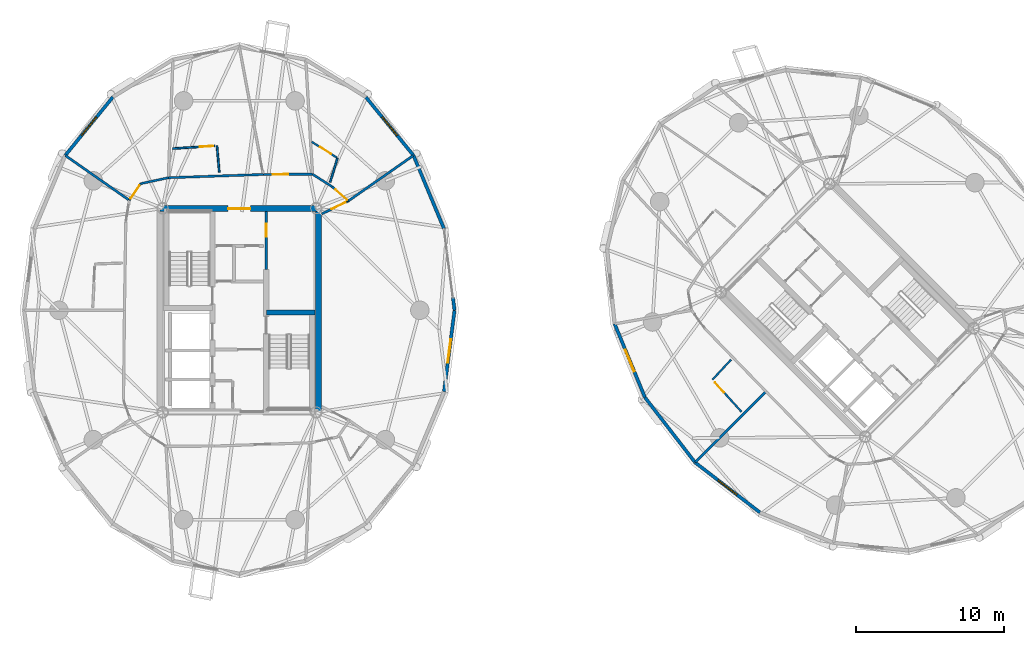
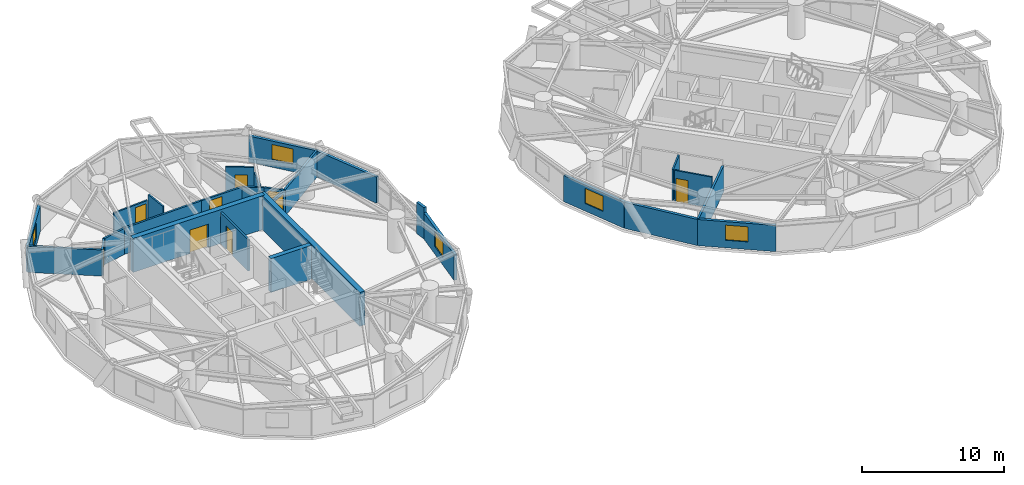
# One storey, part 12 of 18: 28 walls, 9 doors, 5 windows, 14 openings.
"""IFC4 building model written with IfcOpenShell, lengths in metres."""

from ifc_helpers import new_model, si_unit, direction, frame, frame_2d, origin, place, context, subcontext, project, spatial, rectangle, extrude, source, transform, mapped, material, layer, layer_set, type_object, element, fill, save


model = new_model("IFC4")

# Units and contexts
model_context = context("Model", 3, precision=1e-05, world=origin(), true_north=direction((0.0, 1.0)))
body_context = subcontext(model_context, "Body", "Model", "MODEL_VIEW")
ifc_project = project(units=[si_unit("LENGTHUNIT", "METRE"), si_unit("AREAUNIT", "SQUARE_METRE"), si_unit("VOLUMEUNIT", "CUBIC_METRE"), si_unit("PLANEANGLEUNIT", "RADIAN"), si_unit("MASSUNIT", "GRAM", prefix="KILO")], contexts=[model_context])

# Site, building, storey
site_placement = place(None, origin())
site = spatial("IfcSite", under=ifc_project, at=site_placement, CompositionType="ELEMENT")
building_placement = place(site_placement, origin())
building = spatial("IfcBuilding", under=site, at=building_placement, Name="Cununo Teusaquillo Station Towers", CompositionType="ELEMENT")
storey_placement = place(building_placement, frame((0.0, 0.0, 157.419921875)))
storey = spatial("IfcBuildingStorey", under=building, at=storey_placement, Name="L49", CompositionType="ELEMENT", Elevation=157.419921875)

# Walls
ifc_material_1 = material(Name="Concrete C50/60", Category="concrete")
ifc_layer_1 = layer(ifc_material_1, 0.35009765625)
ifc_layer_set_1 = layer_set([ifc_layer_1], Name="Concrete C50/60")
wall_type_1 = type_object("IfcWallType", Name="WL-CORE-350", PredefinedType="SHEAR", material=ifc_layer_set_1)
wall_1_placement = place(storey_placement, frame((18.31494140625, 24.344970703125, 0.0), z_axis=(0.0, 0.0, 1.0), x_axis=(1.0, 0.0, 0.0)))
element("IfcWall", 1, at=wall_1_placement, inside=storey, type_object=wall_type_1, Name="L49 Tower A Core Shear Wall ST2N", PredefinedType="SHEAR", context=body_context, shape_type="SweptSolid", body=[
    extrude(rectangle(XDim=3.28515625, YDim=0.35009765625, at=frame_2d((1.642578125, 0.0))), origin(), (0.0, 0.0, 1.0), 2.91015625),
])
ifc_material_2 = material(Name="Concrete C50/60", Category="concrete")
ifc_layer_2 = layer(ifc_material_2, 0.39990234375)
ifc_layer_set_2 = layer_set([ifc_layer_2], Name="Concrete C50/60")
wall_type_2 = type_object("IfcWallType", Name="WL-CORE-400", PredefinedType="SHEAR", material=ifc_layer_set_2)
wall_2_placement = place(storey_placement, frame((21.85009765625, 17.449951171875, 0.0), z_axis=(0.0, 0.0, 1.0), x_axis=(0.0, 1.0, 0.0)))
element("IfcWall", 2, at=wall_2_placement, inside=storey, type_object=wall_type_2, Name="L49 Tower A Core Shear Wall E", PredefinedType="SHEAR", context=body_context, shape_type="SweptSolid", body=[
    extrude(rectangle(XDim=14.10009765625, YDim=0.39990234375, at=frame_2d((7.050048828125, 0.0))), origin(), (0.0, 0.0, 1.0), 2.91015625),
])

# Wall, opening, door
wall_3_placement = place(storey_placement, frame((11.14990234375, 31.35009765625, 0.0), z_axis=(0.0, 0.0, 1.0), x_axis=(1.0, 0.0, 0.0)))
wall_3 = element("IfcWall", 3, at=wall_3_placement, inside=storey, type_object=wall_type_2, Name="L49 Tower A Core Shear Wall N", PredefinedType="SHEAR", context=body_context, shape_type="SweptSolid", body=[
    extrude(rectangle(XDim=10.7001953125, YDim=0.39990234375, at=frame_2d((5.35009765625, 0.0))), origin(), (0.0, 0.0, 1.0), 2.91015625),
])
shared_shape_1 = source(origin(), body_context, "Body", "SweptSolid", [
    extrude(rectangle(XDim=1.5, YDim=2.02001953125, at=frame_2d((0.75, 1.010009765625))), frame((0.0, 0.2099609375, 0.0), z_axis=(0.0, -1.0, 0.0), x_axis=(1.0, 0.0, 0.0)), (0.0, 0.0, 1.0), 0.419921875),
])
opening_1_placement = place(wall_3_placement, frame((4.60009765625, 0.0, 0.0)))
opening_1 = element("IfcOpeningElement", 4, at=opening_1_placement, cuts=wall_3, Name="Opening D-LB1", PredefinedType="OPENING", context=body_context, shape_type="MappedRepresentation", body=[
    mapped(shared_shape_1, transform((0.0, 0.0, 0.0), x_axis=(1.0, 0.0, 0.0), y_axis=(0.0, 1.0, 0.0), z_axis=(0.0, 0.0, 1.0), scale=1.0)),
])
ifc_material_3 = material(Name="Galvanised fire-rated hollow steel door assembly", Category="steel")
door_type_1 = type_object("IfcDoorType", Name="DR-LOBBY-1500", OperationType="DOUBLE_DOOR_SINGLE_SWING", PredefinedType="DOOR", material=ifc_material_3)
shared_shape_2 = source(origin(), body_context, "Body", "SweptSolid", [
    extrude(rectangle(XDim=1.5, YDim=2.02001953125, at=frame_2d((0.75, 1.010009765625))), frame((0.0, 0.02490234375, 0.0), z_axis=(0.0, -1.0, 0.0), x_axis=(1.0, 0.0, 0.0)), (0.0, 0.0, 1.0), 0.050048828125),
])
door_1_placement = place(opening_1_placement, origin())
door_1 = element("IfcDoor", 5, at=door_1_placement, inside=storey, type_object=door_type_1, Name="L49 Tower A North Core Lift Lobby Door", OperationType="DOUBLE_DOOR_SINGLE_SWING", OverallHeight=2.02001953125, OverallWidth=1.5, PredefinedType="DOOR", context=body_context, shape_type="MappedRepresentation", body=[
    mapped(shared_shape_2, transform((0.0, 0.0, 0.0), x_axis=(1.0, 0.0, 0.0), y_axis=(0.0, 1.0, 0.0), z_axis=(0.0, 0.0, 1.0), scale=1.0)),
])
fill(opening_1, door_1)

# Walls
ifc_material_4 = material(Name="Precast concrete C40/50", Category="concrete")
ifc_layer_3 = layer(ifc_material_4, 0.219970703125)
ifc_layer_set_3 = layer_set([ifc_layer_3], Name="Precast concrete C40/50")
wall_type_3 = type_object("IfcWallType", Name="WL-EXT-220", PredefinedType="SOLIDWALL", material=ifc_layer_set_3)
wall_4_placement = place(storey_placement, frame((30.9033203125, 25.36279296875, 0.0), z_axis=(0.0, 0.0, 1.0), x_axis=(0.128247365719, -0.991742211054, 0.0)))
element("IfcWall", 6, at=wall_4_placement, inside=storey, type_object=wall_type_3, Name="L49 Tower A Column Pier Cladding Wall C00-PB", PredefinedType="SOLIDWALL", context=body_context, shape_type="SweptSolid", body=[
    extrude(rectangle(XDim=0.869873046875, YDim=0.219970703125, at=frame_2d((0.43505859375, 0.0))), origin(), (0.0, 0.0, 1.0), 2.675048828125),
])
wall_5_placement = place(storey_placement, frame((28.242919921875, 34.94482421875, 0.0), z_axis=(0.0, 0.0, 1.0), x_axis=(0.384259959969, -0.923224936386, 0.0)))
element("IfcWall", 7, at=wall_5_placement, inside=storey, type_object=wall_type_3, Name="L49 Tower A Exterior Facade Wall C01", PredefinedType="SOLIDWALL", context=body_context, shape_type="SweptSolid", body=[
    extrude(rectangle(XDim=5.365478515625, YDim=0.219970703125, at=frame_2d((2.6826171875, 0.0))), origin(), (0.0, 0.0, 1.0), 2.2451171875),
])

# Wall, opening, window
wall_6_placement = place(storey_placement, frame((25.03173828125, 38.876220703125, 0.0), z_axis=(0.0, 0.0, 1.0), x_axis=(0.632598524901, -0.774479894053, 0.0)))
wall_6 = element("IfcWall", 8, at=wall_6_placement, inside=storey, type_object=wall_type_3, Name="L49 Tower A Exterior Facade Wall C02", PredefinedType="SOLIDWALL", context=body_context, shape_type="SweptSolid", body=[
    extrude(rectangle(XDim=5.076171875, YDim=0.219970703125, at=frame_2d((2.5380859375, 0.0))), origin(), (0.0, 0.0, 1.0), 2.2451171875),
])
shared_shape_3 = source(origin(), body_context, "Body", "SweptSolid", [
    extrude(rectangle(XDim=1.60009765625, YDim=1.300048828125, at=frame_2d((0.800048828125, 0.64990234375))), frame((0.0, 0.119873046875, 0.0), z_axis=(0.0, -1.0, 0.0), x_axis=(1.0, 0.0, 0.0)), (0.0, 0.0, 1.0), 0.239990234375),
])
opening_2_placement = place(wall_6_placement, frame((1.738037109375, 0.0, 0.64990234375)))
opening_2 = element("IfcOpeningElement", 9, at=opening_2_placement, cuts=wall_6, Name="Opening WN-03", PredefinedType="OPENING", context=body_context, shape_type="MappedRepresentation", body=[
    mapped(shared_shape_3, transform((0.0, 0.0, 0.0), x_axis=(1.0, 0.0, 0.0), y_axis=(0.0, 1.0, 0.0), z_axis=(0.0, 0.0, 1.0), scale=1.0)),
])
ifc_material_5 = material(Name="Ceramic-fritted dark low-E double glazing", Category="glass")
window_type = type_object("IfcWindowType", Name="WIN-CORN-1600", PartitioningType="SINGLE_PANEL", PredefinedType="WINDOW", material=ifc_material_5)
shared_shape_4 = source(origin(), body_context, "Body", "SweptSolid", [
    extrude(rectangle(XDim=1.60009765625, YDim=1.300048828125, at=frame_2d((0.800048828125, 0.64990234375))), frame((0.0, 0.030029296875, 0.0), z_axis=(0.0, -1.0, 0.0), x_axis=(1.0, 0.0, 0.0)), (0.0, 0.0, 1.0), 0.06005859375),
])
window_1_placement = place(opening_2_placement, origin())
window_1 = element("IfcWindow", 10, at=window_1_placement, inside=storey, type_object=window_type, Name="L49 Tower A Facade Window C02", OverallHeight=1.300048828125, OverallWidth=1.60009765625, PartitioningType="SINGLE_PANEL", PredefinedType="WINDOW", context=body_context, shape_type="MappedRepresentation", body=[
    mapped(shared_shape_4, transform((0.0, 0.0, 0.0), x_axis=(1.0, 0.0, 0.0), y_axis=(0.0, 1.0, 0.0), z_axis=(0.0, 0.0, 1.0), scale=1.0)),
])
fill(opening_2, window_1)

wall_7_placement = place(storey_placement, frame((4.757080078125, 34.94482421875, 0.0), z_axis=(0.0, 0.0, 1.0), x_axis=(0.632598524901, 0.774479894053, 0.0)))
wall_7 = element("IfcWall", 11, at=wall_7_placement, inside=storey, type_object=wall_type_3, Name="L49 Tower A Exterior Facade Wall C07", PredefinedType="SOLIDWALL", context=body_context, shape_type="SweptSolid", body=[
    extrude(rectangle(XDim=5.076171875, YDim=0.219970703125, at=frame_2d((2.5380859375, 0.0))), origin(), (0.0, 0.0, 1.0), 2.2451171875),
])
opening_3_placement = place(wall_7_placement, frame((1.738037109375, 0.0, 0.64990234375)))
opening_3 = element("IfcOpeningElement", 12, at=opening_3_placement, cuts=wall_7, Name="Opening WN-03", PredefinedType="OPENING", context=body_context, shape_type="MappedRepresentation", body=[
    mapped(shared_shape_3, transform((0.0, 0.0, 0.0), x_axis=(1.0, 0.0, 0.0), y_axis=(0.0, 1.0, 0.0), z_axis=(0.0, 0.0, 1.0), scale=1.0)),
])
window_2_placement = place(opening_3_placement, origin())
window_2 = element("IfcWindow", 13, at=window_2_placement, inside=storey, type_object=window_type, Name="L49 Tower A Facade Window C07", OverallHeight=1.300048828125, OverallWidth=1.60009765625, PartitioningType="SINGLE_PANEL", PredefinedType="WINDOW", context=body_context, shape_type="MappedRepresentation", body=[
    mapped(shared_shape_4, transform((0.0, 0.0, 0.0), x_axis=(1.0, 0.0, 0.0), y_axis=(0.0, 1.0, 0.0), z_axis=(0.0, 0.0, 1.0), scale=1.0)),
])
fill(opening_3, window_2)

wall_8_placement = place(storey_placement, frame((31.014892578125, 24.5, 0.0), z_axis=(0.0, 0.0, 1.0), x_axis=(-0.128266533912, -0.991739732126, 0.0)))
wall_8 = element("IfcWall", 14, at=wall_8_placement, inside=storey, type_object=wall_type_3, Name="L49 Tower A Exterior Facade Wall C19", PredefinedType="SOLIDWALL", context=body_context, shape_type="SweptSolid", body=[
    extrude(rectangle(XDim=5.536865234375, YDim=0.219970703125, at=frame_2d((2.7685546875, 0.0))), origin(), (0.0, 0.0, 1.0), 2.2451171875),
])
opening_4_placement = place(wall_8_placement, frame((1.968017578125, 0.0, 0.64990234375)))
opening_4 = element("IfcOpeningElement", 15, at=opening_4_placement, cuts=wall_8, Name="Opening WN-03", PredefinedType="OPENING", context=body_context, shape_type="MappedRepresentation", body=[
    mapped(shared_shape_3, transform((0.0, 0.0, 0.0), x_axis=(1.0, 0.0, 0.0), y_axis=(0.0, 1.0, 0.0), z_axis=(0.0, 0.0, 1.0), scale=1.0)),
])
window_3_placement = place(opening_4_placement, origin())
window_3 = element("IfcWindow", 16, at=window_3_placement, inside=storey, type_object=window_type, Name="L49 Tower A Facade Window C19", OverallHeight=1.300048828125, OverallWidth=1.60009765625, PartitioningType="SINGLE_PANEL", PredefinedType="WINDOW", context=body_context, shape_type="MappedRepresentation", body=[
    mapped(shared_shape_4, transform((0.0, 0.0, 0.0), x_axis=(1.0, 0.0, 0.0), y_axis=(0.0, 1.0, 0.0), z_axis=(0.0, 0.0, 1.0), scale=1.0)),
])
fill(opening_4, window_3)

wall_9_placement = place(storey_placement, frame((43.855712890625, 18.62158203125, 0.0), z_axis=(0.0, 0.0, 1.0), x_axis=(-0.38111364655, 0.924528197738, 0.0)))
wall_9 = element("IfcWall", 17, at=wall_9_placement, inside=storey, type_object=wall_type_3, Name="L49 Tower B Exterior Facade Wall C08", PredefinedType="SOLIDWALL", context=body_context, shape_type="SweptSolid", body=[
    extrude(rectangle(XDim=5.36572265625, YDim=0.219970703125, at=frame_2d((2.682861328125, 0.0))), origin(), (0.0, 0.0, 1.0), 2.2451171875),
])
opening_5_placement = place(wall_9_placement, frame((1.883056640625, 0.0, 0.64990234375)))
opening_5 = element("IfcOpeningElement", 18, at=opening_5_placement, cuts=wall_9, Name="Opening WN-03", PredefinedType="OPENING", context=body_context, shape_type="MappedRepresentation", body=[
    mapped(shared_shape_3, transform((0.0, 0.0, 0.0), x_axis=(1.0, 0.0, 0.0), y_axis=(0.0, 1.0, 0.0), z_axis=(0.0, 0.0, 1.0), scale=1.0)),
])
window_4_placement = place(opening_5_placement, origin())
window_4 = element("IfcWindow", 19, at=window_4_placement, inside=storey, type_object=window_type, Name="L49 Tower B Facade Window C08", OverallHeight=1.300048828125, OverallWidth=1.60009765625, PartitioningType="SINGLE_PANEL", PredefinedType="WINDOW", context=body_context, shape_type="MappedRepresentation", body=[
    mapped(shared_shape_4, transform((0.0, 0.0, 0.0), x_axis=(1.0, 0.0, 0.0), y_axis=(0.0, 1.0, 0.0), z_axis=(0.0, 0.0, 1.0), scale=1.0)),
])
fill(opening_5, window_4)

# Wall
wall_10_placement = place(storey_placement, frame((47.236328125, 14.236328125, 0.0), z_axis=(0.0, 0.0, 1.0), x_axis=(-0.610543584779, 0.791982658323, 0.0)))
element("IfcWall", 20, at=wall_10_placement, inside=storey, type_object=wall_type_3, Name="L49 Tower B Exterior Facade Wall C09", PredefinedType="SOLIDWALL", context=body_context, shape_type="SweptSolid", body=[
    extrude(rectangle(XDim=5.537109375, YDim=0.219970703125, at=frame_2d((2.7685546875, 0.0))), origin(), (0.0, 0.0, 1.0), 2.2451171875),
])

# Wall, opening, window
wall_11_placement = place(storey_placement, frame((51.62158203125, 10.855712890625, 0.0), z_axis=(0.0, 0.0, 1.0), x_axis=(-0.791982658323, 0.610543584779, 0.0)))
wall_11 = element("IfcWall", 21, at=wall_11_placement, inside=storey, type_object=wall_type_3, Name="L49 Tower B Exterior Facade Wall C10", PredefinedType="SOLIDWALL", context=body_context, shape_type="SweptSolid", body=[
    extrude(rectangle(XDim=5.537109375, YDim=0.219970703125, at=frame_2d((2.7685546875, 0.0))), origin(), (0.0, 0.0, 1.0), 2.2451171875),
])
opening_6_placement = place(wall_11_placement, frame((1.968017578125, 0.0, 0.64990234375)))
opening_6 = element("IfcOpeningElement", 22, at=opening_6_placement, cuts=wall_11, Name="Opening WN-03", PredefinedType="OPENING", context=body_context, shape_type="MappedRepresentation", body=[
    mapped(shared_shape_3, transform((0.0, 0.0, 0.0), x_axis=(1.0, 0.0, 0.0), y_axis=(0.0, 1.0, 0.0), z_axis=(0.0, 0.0, 1.0), scale=1.0)),
])
window_5_placement = place(opening_6_placement, origin())
window_5 = element("IfcWindow", 23, at=window_5_placement, inside=storey, type_object=window_type, Name="L49 Tower B Facade Window C10", OverallHeight=1.300048828125, OverallWidth=1.60009765625, PartitioningType="SINGLE_PANEL", PredefinedType="WINDOW", context=body_context, shape_type="MappedRepresentation", body=[
    mapped(shared_shape_4, transform((0.0, 0.0, 0.0), x_axis=(1.0, 0.0, 0.0), y_axis=(0.0, 1.0, 0.0), z_axis=(0.0, 0.0, 1.0), scale=1.0)),
])
fill(opening_6, window_5)

# Wall
ifc_material_6 = material(Name="Fire-rated gypsum plasterboard partition assembly", Category="gypsum")
ifc_layer_4 = layer(ifc_material_6, 0.125)
ifc_layer_set_4 = layer_set([ifc_layer_4], Name="Fire-rated gypsum plasterboard partition assembly")
wall_type_4 = type_object("IfcWallType", Name="WL-PART-125", PredefinedType="PARTITIONING", material=ifc_layer_set_4)
wall_12_placement = place(storey_placement, frame((22.6279296875, 33.141845703125, 0.0), z_axis=(0.0, 0.0, 1.0), x_axis=(0.28808673097, 0.957604320917, 0.0)))
element("IfcWall", 24, at=wall_12_placement, inside=storey, type_object=wall_type_4, Name="L49 Tower A S01 En-suite Side Wall", PredefinedType="PARTITIONING", context=body_context, shape_type="SweptSolid", body=[
    extrude(rectangle(XDim=1.697509765625, YDim=0.125, at=frame_2d((0.8486328125, 0.0))), origin(), (0.0, 0.0, 1.0), 2.2451171875),
])

# Wall, opening, door
wall_13_placement = place(storey_placement, frame((23.064208984375, 34.800537109375, 0.0), z_axis=(0.0, 0.0, 1.0), x_axis=(-0.846418905871, 0.532517638942, 0.0)))
wall_13 = element("IfcWall", 25, at=wall_13_placement, inside=storey, type_object=wall_type_4, Name="L49 Tower A S01 En-suite Back Wall", PredefinedType="PARTITIONING", context=body_context, shape_type="SweptSolid", body=[
    extrude(rectangle(XDim=1.993408203125, YDim=0.125, at=frame_2d((0.99658203125, 0.0))), origin(), (0.0, 0.0, 1.0), 2.675048828125),
])
shared_shape_5 = source(origin(), body_context, "Body", "SweptSolid", [
    extrude(rectangle(XDim=0.89990234375, YDim=2.0048828125, at=frame_2d((0.449951171875, 1.00244140625))), frame((0.0, 0.072509765625, 0.0), z_axis=(0.0, -1.0, 0.0), x_axis=(1.0, 0.0, 0.0)), (0.0, 0.0, 1.0), 0.14501953125),
])
opening_7_placement = place(wall_13_placement, frame((0.43994140625, 0.0, 0.0)))
opening_7 = element("IfcOpeningElement", 26, at=opening_7_placement, cuts=wall_13, Name="Opening D-IN1", PredefinedType="OPENING", context=body_context, shape_type="MappedRepresentation", body=[
    mapped(shared_shape_5, transform((0.0, 0.0, 0.0), x_axis=(1.0, 0.0, 0.0), y_axis=(0.0, 1.0, 0.0), z_axis=(0.0, 0.0, 1.0), scale=1.0)),
])
ifc_material_7 = material(Name="Acoustic solid-core hardwood leaf assembly", Category="wood")
door_type_2 = type_object("IfcDoorType", Name="DR-INT-900", OperationType="NOTDEFINED", PredefinedType="DOOR", material=ifc_material_7)
shared_shape_6 = source(origin(), body_context, "Body", "SweptSolid", [
    extrude(rectangle(XDim=0.89990234375, YDim=2.0048828125, at=frame_2d((0.449951171875, 1.00244140625))), frame((0.0, 0.02490234375, 0.0), z_axis=(0.0, -1.0, 0.0), x_axis=(1.0, 0.0, 0.0)), (0.0, 0.0, 1.0), 0.050048828125),
])
door_2_placement = place(opening_7_placement, origin())
door_2 = element("IfcDoor", 27, at=door_2_placement, inside=storey, type_object=door_type_2, Name="L49 Tower A S01 En-suite Bathroom Door", OperationType="SINGLE_SWING_RIGHT", OverallHeight=2.0048828125, OverallWidth=0.89990234375, PredefinedType="DOOR", context=body_context, shape_type="MappedRepresentation", body=[
    mapped(shared_shape_6, transform((0.0, 0.0, 0.0), x_axis=(1.0, 0.0, 0.0), y_axis=(0.0, 1.0, 0.0), z_axis=(0.0, 0.0, 1.0), scale=1.0)),
])
fill(opening_7, door_2)

# Wall
wall_14_placement = place(storey_placement, frame((15.14599609375, 33.807373046875, 0.0), z_axis=(0.0, 0.0, 1.0), x_axis=(-0.087433462003, 0.996170361797, 0.0)))
element("IfcWall", 28, at=wall_14_placement, inside=storey, type_object=wall_type_4, Name="L49 Tower A S02 En-suite Side Wall", PredefinedType="PARTITIONING", context=body_context, shape_type="SweptSolid", body=[
    extrude(rectangle(XDim=1.79541015625, YDim=0.125, at=frame_2d((0.897705078125, 0.0))), origin(), (0.0, 0.0, 1.0), 2.675048828125),
])

# Wall, opening, door
wall_15_placement = place(storey_placement, frame((14.8408203125, 35.58642578125, 0.0), z_axis=(0.0, 0.0, 1.0), x_axis=(-0.997963636416, -0.063785424599, 0.0)))
wall_15 = element("IfcWall", 29, at=wall_15_placement, inside=storey, type_object=wall_type_4, Name="L49 Tower A S02 En-suite Back Wall", PredefinedType="PARTITIONING", context=body_context, shape_type="SweptSolid", body=[
    extrude(rectangle(XDim=2.8515625, YDim=0.125, at=frame_2d((1.42578125, 0.0))), origin(), (0.0, 0.0, 1.0), 2.2451171875),
])
opening_8_placement = place(wall_15_placement, frame((0.1201171875, 0.0, 0.0)))
opening_8 = element("IfcOpeningElement", 30, at=opening_8_placement, cuts=wall_15, Name="Opening D-IN1", PredefinedType="OPENING", context=body_context, shape_type="MappedRepresentation", body=[
    mapped(shared_shape_5, transform((0.0, 0.0, 0.0), x_axis=(1.0, 0.0, 0.0), y_axis=(0.0, 1.0, 0.0), z_axis=(0.0, 0.0, 1.0), scale=1.0)),
])
door_3_placement = place(opening_8_placement, origin())
door_3 = element("IfcDoor", 31, at=door_3_placement, inside=storey, type_object=door_type_2, Name="L49 Tower A S02 En-suite Bathroom Door", OperationType="SINGLE_SWING_LEFT", OverallHeight=2.0048828125, OverallWidth=0.89990234375, PredefinedType="DOOR", context=body_context, shape_type="MappedRepresentation", body=[
    mapped(shared_shape_6, transform((0.0, 0.0, 0.0), x_axis=(1.0, 0.0, 0.0), y_axis=(0.0, 1.0, 0.0), z_axis=(0.0, 0.0, 1.0), scale=1.0)),
])
fill(opening_8, door_3)

# Wall
wall_16_placement = place(storey_placement, frame((49.664794921875, 21.17138671875, 0.0), z_axis=(0.0, 0.0, 1.0), x_axis=(-0.681089123144, -0.73220052331, 0.0)))
element("IfcWall", 32, at=wall_16_placement, inside=storey, type_object=wall_type_4, Name="L49 Tower B S04 En-suite Side Wall", PredefinedType="PARTITIONING", context=body_context, shape_type="SweptSolid", body=[
    extrude(rectangle(XDim=1.8486328125, YDim=0.125, at=frame_2d((0.92431640625, 0.0))), origin(), (0.0, 0.0, 1.0), 2.675048828125),
])

# Wall, opening, door
wall_17_placement = place(storey_placement, frame((48.502685546875, 19.710693359375, 0.0), z_axis=(0.0, 0.0, 1.0), x_axis=(0.671201050003, -0.741275354018, 0.0)))
wall_17 = element("IfcWall", 33, at=wall_17_placement, inside=storey, type_object=wall_type_4, Name="L49 Tower B S04 En-suite Back Wall", PredefinedType="PARTITIONING", context=body_context, shape_type="SweptSolid", body=[
    extrude(rectangle(XDim=2.77685546875, YDim=0.125, at=frame_2d((1.388427734375, 0.0))), origin(), (0.0, 0.0, 1.0), 2.675048828125),
])
opening_9_placement = place(wall_17_placement, frame((0.1201171875, 0.0, 0.0)))
opening_9 = element("IfcOpeningElement", 34, at=opening_9_placement, cuts=wall_17, Name="Opening D-IN1", PredefinedType="OPENING", context=body_context, shape_type="MappedRepresentation", body=[
    mapped(shared_shape_5, transform((0.0, 0.0, 0.0), x_axis=(1.0, 0.0, 0.0), y_axis=(0.0, 1.0, 0.0), z_axis=(0.0, 0.0, 1.0), scale=1.0)),
])
door_4_placement = place(opening_9_placement, origin())
door_4 = element("IfcDoor", 35, at=door_4_placement, inside=storey, type_object=door_type_2, Name="L49 Tower B S04 En-suite Bathroom Door", OperationType="SINGLE_SWING_RIGHT", OverallHeight=2.0048828125, OverallWidth=0.89990234375, PredefinedType="DOOR", context=body_context, shape_type="MappedRepresentation", body=[
    mapped(shared_shape_6, transform((0.0, 0.0, 0.0), x_axis=(1.0, 0.0, 0.0), y_axis=(0.0, 1.0, 0.0), z_axis=(0.0, 0.0, 1.0), scale=1.0)),
])
fill(opening_9, door_4)

ifc_material_8 = material(Name="Fire-rated gypsum plasterboard partition assembly", Category="gypsum")
ifc_layer_5 = layer(ifc_material_8, 0.14990234375)
ifc_layer_set_5 = layer_set([ifc_layer_5], Name="Fire-rated gypsum plasterboard partition assembly")
wall_type_5 = type_object("IfcWallType", Name="WL-PART-150", PredefinedType="PARTITIONING", material=ifc_layer_set_5)
wall_18_placement = place(storey_placement, frame((23.840576171875, 31.865966796875, 0.0), z_axis=(0.0, 0.0, 1.0), x_axis=(-0.74511843306, 0.666932171, 0.0)))
wall_18 = element("IfcWall", 36, at=wall_18_placement, inside=storey, type_object=wall_type_5, Name="L49 Tower A Corridor Ring Wall C02", PredefinedType="PARTITIONING", context=body_context, shape_type="SweptSolid", body=[
    extrude(rectangle(XDim=1.455078125, YDim=0.14990234375, at=frame_2d((0.7275390625, 0.0))), origin(), (0.0, 0.0, 1.0), 2.2451171875),
])
shared_shape_7 = source(origin(), body_context, "Body", "SweptSolid", [
    extrude(rectangle(XDim=1.050048828125, YDim=2.014892578125, at=frame_2d((0.52490234375, 1.00732421875))), frame((0.0, 0.0849609375, 0.0), z_axis=(0.0, -1.0, 0.0), x_axis=(1.0, 0.0, 0.0)), (0.0, 0.0, 1.0), 0.169921875),
])
opening_10_placement = place(wall_18_placement, frame((0.1201171875, 0.0, 0.0)))
opening_10 = element("IfcOpeningElement", 37, at=opening_10_placement, cuts=wall_18, Name="Opening D-SU1", PredefinedType="OPENING", context=body_context, shape_type="MappedRepresentation", body=[
    mapped(shared_shape_7, transform((0.0, 0.0, 0.0), x_axis=(1.0, 0.0, 0.0), y_axis=(0.0, 1.0, 0.0), z_axis=(0.0, 0.0, 1.0), scale=1.0)),
])
ifc_material_9 = material(Name="Acoustic solid-core hardwood leaf assembly", Category="wood")
door_type_3 = type_object("IfcDoorType", Name="DR-SUITE-1050", OperationType="NOTDEFINED", PredefinedType="DOOR", material=ifc_material_9)
shared_shape_8 = source(origin(), body_context, "Body", "SweptSolid", [
    extrude(rectangle(XDim=1.050048828125, YDim=2.014892578125, at=frame_2d((0.52490234375, 1.00732421875))), frame((0.0, 0.02490234375, 0.0), z_axis=(0.0, -1.0, 0.0), x_axis=(1.0, 0.0, 0.0)), (0.0, 0.0, 1.0), 0.050048828125),
])
door_5_placement = place(opening_10_placement, origin())
door_5 = element("IfcDoor", 38, at=door_5_placement, inside=storey, type_object=door_type_3, Name="L49 Tower A Grand Panorama Hotel Suite Entrance Door", OperationType="SINGLE_SWING_LEFT", OverallHeight=2.014892578125, OverallWidth=1.050048828125, PredefinedType="DOOR", context=body_context, shape_type="MappedRepresentation", body=[
    mapped(shared_shape_8, transform((0.0, 0.0, 0.0), x_axis=(1.0, 0.0, 0.0), y_axis=(0.0, 1.0, 0.0), z_axis=(0.0, 0.0, 1.0), scale=1.0)),
])
fill(opening_10, door_5)

# Wall
wall_19_placement = place(storey_placement, frame((22.75634765625, 32.83642578125, 0.0), z_axis=(0.0, 0.0, 1.0), x_axis=(-0.843828401801, 0.536613108593, 0.0)))
element("IfcWall", 39, at=wall_19_placement, inside=storey, type_object=wall_type_5, Name="L49 Tower A Corridor Ring Wall C03", PredefinedType="PARTITIONING", context=body_context, shape_type="SweptSolid", body=[
    extrude(rectangle(XDim=1.5654296875, YDim=0.14990234375, at=frame_2d((0.78271484375, 0.0))), origin(), (0.0, 0.0, 1.0), 2.2451171875),
])

# Wall, opening, door
wall_20_placement = place(storey_placement, frame((21.435302734375, 33.676513671875, 0.0), z_axis=(0.0, 0.0, 1.0), x_axis=(-0.999986775557, -0.005142831114, 0.0)))
wall_20 = element("IfcWall", 40, at=wall_20_placement, inside=storey, type_object=wall_type_5, Name="L49 Tower A Corridor Ring Wall C04", PredefinedType="PARTITIONING", context=body_context, shape_type="SweptSolid", body=[
    extrude(rectangle(XDim=3.322998046875, YDim=0.14990234375, at=frame_2d((1.66162109375, 0.0))), origin(), (0.0, 0.0, 1.0), 2.2451171875),
])
opening_11_placement = place(wall_20_placement, frame((1.644775390625, 0.0, 0.0)))
opening_11 = element("IfcOpeningElement", 41, at=opening_11_placement, cuts=wall_20, Name="Opening D-SU1", PredefinedType="OPENING", context=body_context, shape_type="MappedRepresentation", body=[
    mapped(shared_shape_7, transform((0.0, 0.0, 0.0), x_axis=(1.0, 0.0, 0.0), y_axis=(0.0, 1.0, 0.0), z_axis=(0.0, 0.0, 1.0), scale=1.0)),
])
door_6_placement = place(opening_11_placement, origin())
door_6 = element("IfcDoor", 42, at=door_6_placement, inside=storey, type_object=door_type_3, Name="L49 Tower A Cloud-Forest Hotel Suite Entrance Door", OperationType="SINGLE_SWING_LEFT", OverallHeight=2.014892578125, OverallWidth=1.050048828125, PredefinedType="DOOR", context=body_context, shape_type="MappedRepresentation", body=[
    mapped(shared_shape_8, transform((0.0, 0.0, 0.0), x_axis=(1.0, 0.0, 0.0), y_axis=(0.0, 1.0, 0.0), z_axis=(0.0, 0.0, 1.0), scale=1.0)),
])
fill(opening_11, door_6)

# Walls
wall_21_placement = place(storey_placement, frame((18.1123046875, 33.659423828125, 0.0), z_axis=(0.0, 0.0, 1.0), x_axis=(-0.999413895918, -0.034232508622, 0.0)))
element("IfcWall", 43, at=wall_21_placement, inside=storey, type_object=wall_type_5, Name="L49 Tower A Corridor Ring Wall C05", PredefinedType="PARTITIONING", context=body_context, shape_type="SweptSolid", body=[
    extrude(rectangle(XDim=6.404296875, YDim=0.14990234375, at=frame_2d((3.2021484375, 0.0))), origin(), (0.0, 0.0, 1.0), 2.2451171875),
])
wall_22_placement = place(storey_placement, frame((11.711669921875, 33.440185546875, 0.0), z_axis=(0.0, 0.0, 1.0), x_axis=(-0.977753514213, -0.209757158265, 0.0)))
element("IfcWall", 44, at=wall_22_placement, inside=storey, type_object=wall_type_5, Name="L49 Tower A Corridor Ring Wall C06", PredefinedType="PARTITIONING", context=body_context, shape_type="SweptSolid", body=[
    extrude(rectangle(XDim=1.900634765625, YDim=0.14990234375, at=frame_2d((0.9501953125, 0.0))), origin(), (0.0, 0.0, 1.0), 2.2451171875),
])

# Wall, opening, door
wall_23_placement = place(storey_placement, frame((9.853271484375, 33.04150390625, 0.0), z_axis=(0.0, 0.0, 1.0), x_axis=(-0.567189283521, -0.823587467522, 0.0)))
wall_23 = element("IfcWall", 45, at=wall_23_placement, inside=storey, type_object=wall_type_5, Name="L49 Tower A Corridor Ring Wall C07", PredefinedType="PARTITIONING", context=body_context, shape_type="SweptSolid", body=[
    extrude(rectangle(XDim=1.364501953125, YDim=0.14990234375, at=frame_2d((0.68212890625, 0.0))), origin(), (0.0, 0.0, 1.0), 2.2451171875),
])
opening_12_placement = place(wall_23_placement, frame((0.1572265625, 0.0, 0.0)))
opening_12 = element("IfcOpeningElement", 46, at=opening_12_placement, cuts=wall_23, Name="Opening D-SU1", PredefinedType="OPENING", context=body_context, shape_type="MappedRepresentation", body=[
    mapped(shared_shape_7, transform((0.0, 0.0, 0.0), x_axis=(1.0, 0.0, 0.0), y_axis=(0.0, 1.0, 0.0), z_axis=(0.0, 0.0, 1.0), scale=1.0)),
])
door_7_placement = place(opening_12_placement, origin())
door_7 = element("IfcDoor", 47, at=door_7_placement, inside=storey, type_object=door_type_3, Name="L49 Tower A Sky Sommelier Lounge Entrance Door", OperationType="SINGLE_SWING_RIGHT", OverallHeight=2.014892578125, OverallWidth=1.050048828125, PredefinedType="DOOR", context=body_context, shape_type="MappedRepresentation", body=[
    mapped(shared_shape_8, transform((0.0, 0.0, 0.0), x_axis=(1.0, 0.0, 0.0), y_axis=(0.0, 1.0, 0.0), z_axis=(0.0, 0.0, 1.0), scale=1.0)),
])
fill(opening_12, door_7)

ifc_material_10 = material(Name="Fire-rated gypsum plasterboard partition assembly", Category="gypsum")
ifc_layer_6 = layer(ifc_material_10, 0.159912109375)
ifc_layer_set_6 = layer_set([ifc_layer_6], Name="Fire-rated gypsum plasterboard partition assembly")
wall_type_6 = type_object("IfcWallType", Name="WL-PART-160", PredefinedType="PARTITIONING", material=ifc_layer_set_6)
wall_24_placement = place(storey_placement, frame((18.31494140625, 27.25, 0.0), z_axis=(0.0, 0.0, 1.0), x_axis=(0.0, 1.0, 0.0)))
wall_24 = element("IfcWall", 48, at=wall_24_placement, inside=storey, type_object=wall_type_6, Name="L49 Tower A Reclaimed Core Bay Entry Wall", PredefinedType="PARTITIONING", context=body_context, shape_type="SweptSolid", body=[
    extrude(rectangle(XDim=3.89990234375, YDim=0.159912109375, at=frame_2d((1.949951171875, 0.0))), origin(), (0.0, 0.0, 1.0), 2.675048828125),
])
shared_shape_9 = source(origin(), body_context, "Body", "SweptSolid", [
    extrude(rectangle(XDim=0.89990234375, YDim=2.0048828125, at=frame_2d((0.449951171875, 1.00244140625))), frame((0.0, 0.08984375, 0.0), z_axis=(0.0, -1.0, 0.0), x_axis=(1.0, 0.0, 0.0)), (0.0, 0.0, 1.0), 0.179931640625),
])
opening_13_placement = place(wall_24_placement, frame((2.199951171875, 0.0, 0.0)))
opening_13 = element("IfcOpeningElement", 49, at=opening_13_placement, cuts=wall_24, Name="Opening D-IN1", PredefinedType="OPENING", context=body_context, shape_type="MappedRepresentation", body=[
    mapped(shared_shape_9, transform((0.0, 0.0, 0.0), x_axis=(1.0, 0.0, 0.0), y_axis=(0.0, 1.0, 0.0), z_axis=(0.0, 0.0, 1.0), scale=1.0)),
])
door_8_placement = place(opening_13_placement, origin())
door_8 = element("IfcDoor", 50, at=door_8_placement, inside=storey, type_object=door_type_2, Name="L49 Tower A Reclaimed Core Lounge Door", OperationType="SINGLE_SWING_RIGHT", OverallHeight=2.0048828125, OverallWidth=0.89990234375, PredefinedType="DOOR", context=body_context, shape_type="MappedRepresentation", body=[
    mapped(shared_shape_6, transform((0.0, 0.0, 0.0), x_axis=(1.0, 0.0, 0.0), y_axis=(0.0, 1.0, 0.0), z_axis=(0.0, 0.0, 1.0), scale=1.0)),
])
fill(opening_13, door_8)

# Walls
wall_25_placement = place(storey_placement, frame((23.840576171875, 31.865966796875, 0.0), z_axis=(0.0, 0.0, 1.0), x_axis=(0.819514693563, 0.573058170724, 0.0)))
element("IfcWall", 51, at=wall_25_placement, inside=storey, type_object=wall_type_6, Name="L49 Tower A Radial Suite Partition R01", PredefinedType="PARTITIONING", context=body_context, shape_type="SweptSolid", body=[
    extrude(rectangle(XDim=5.352294921875, YDim=0.159912109375, at=frame_2d((2.67626953125, 0.0))), origin(), (0.0, 0.0, 1.0), 2.2451171875),
])
wall_26_placement = place(storey_placement, frame((9.079345703125, 31.917724609375, 0.0), z_axis=(0.0, 0.0, 1.0), x_axis=(-0.819135909075, 0.573599479135, 0.0)))
element("IfcWall", 52, at=wall_26_placement, inside=storey, type_object=wall_type_6, Name="L49 Tower A Radial Suite Partition R04", PredefinedType="PARTITIONING", context=body_context, shape_type="SweptSolid", body=[
    extrude(rectangle(XDim=5.2568359375, YDim=0.159912109375, at=frame_2d((2.62841796875, 0.0))), origin(), (0.0, 0.0, 1.0), 2.2451171875),
])

# Wall, opening, door
wall_27_placement = place(storey_placement, frame((22.050048828125, 31.0, 0.0), z_axis=(0.0, 0.0, 1.0), x_axis=(0.900241516545, 0.435390872537, 0.0)))
wall_27 = element("IfcWall", 53, at=wall_27_placement, inside=storey, type_object=wall_type_6, Name="L49 Tower A East Salon Corridor Portal Wall NE", PredefinedType="PARTITIONING", context=body_context, shape_type="SweptSolid", body=[
    extrude(rectangle(XDim=1.989013671875, YDim=0.159912109375, at=frame_2d((0.99462890625, 0.0))), origin(), (0.0, 0.0, 1.0), 2.2451171875),
])
shared_shape_10 = source(origin(), body_context, "Body", "SweptSolid", [
    extrude(rectangle(XDim=1.050048828125, YDim=2.014892578125, at=frame_2d((0.52490234375, 1.00732421875))), frame((0.0, 0.08984375, 0.0), z_axis=(0.0, -1.0, 0.0), x_axis=(1.0, 0.0, 0.0)), (0.0, 0.0, 1.0), 0.179931640625),
])
opening_14_placement = place(wall_27_placement, frame((0.739013671875, 0.0, 0.0)))
opening_14 = element("IfcOpeningElement", 54, at=opening_14_placement, cuts=wall_27, Name="Opening D-SU1", PredefinedType="OPENING", context=body_context, shape_type="MappedRepresentation", body=[
    mapped(shared_shape_10, transform((0.0, 0.0, 0.0), x_axis=(1.0, 0.0, 0.0), y_axis=(0.0, 1.0, 0.0), z_axis=(0.0, 0.0, 1.0), scale=1.0)),
])
door_9_placement = place(opening_14_placement, origin())
door_9 = element("IfcDoor", 55, at=door_9_placement, inside=storey, type_object=door_type_3, Name="L49 Tower A East Panorama Sky Salon Door NE", OperationType="SINGLE_SWING_LEFT", OverallHeight=2.014892578125, OverallWidth=1.050048828125, PredefinedType="DOOR", context=body_context, shape_type="MappedRepresentation", body=[
    mapped(shared_shape_8, transform((0.0, 0.0, 0.0), x_axis=(1.0, 0.0, 0.0), y_axis=(0.0, 1.0, 0.0), z_axis=(0.0, 0.0, 1.0), scale=1.0)),
])
fill(opening_14, door_9)

# Wall
wall_28_placement = place(storey_placement, frame((52.02001953125, 19.02001953125, 0.0), z_axis=(0.0, 0.0, 1.0), x_axis=(-0.707106781187, -0.707106781187, 0.0)))
element("IfcWall", 56, at=wall_28_placement, inside=storey, type_object=wall_type_6, Name="L49 Tower B Radial Suite Partition R05", PredefinedType="PARTITIONING", context=body_context, shape_type="SweptSolid", body=[
    extrude(rectangle(XDim=6.7451171875, YDim=0.159912109375, at=frame_2d((3.37255859375, 0.0))), origin(), (0.0, 0.0, 1.0), 2.2451171875),
])

save(model, "model.ifc")
